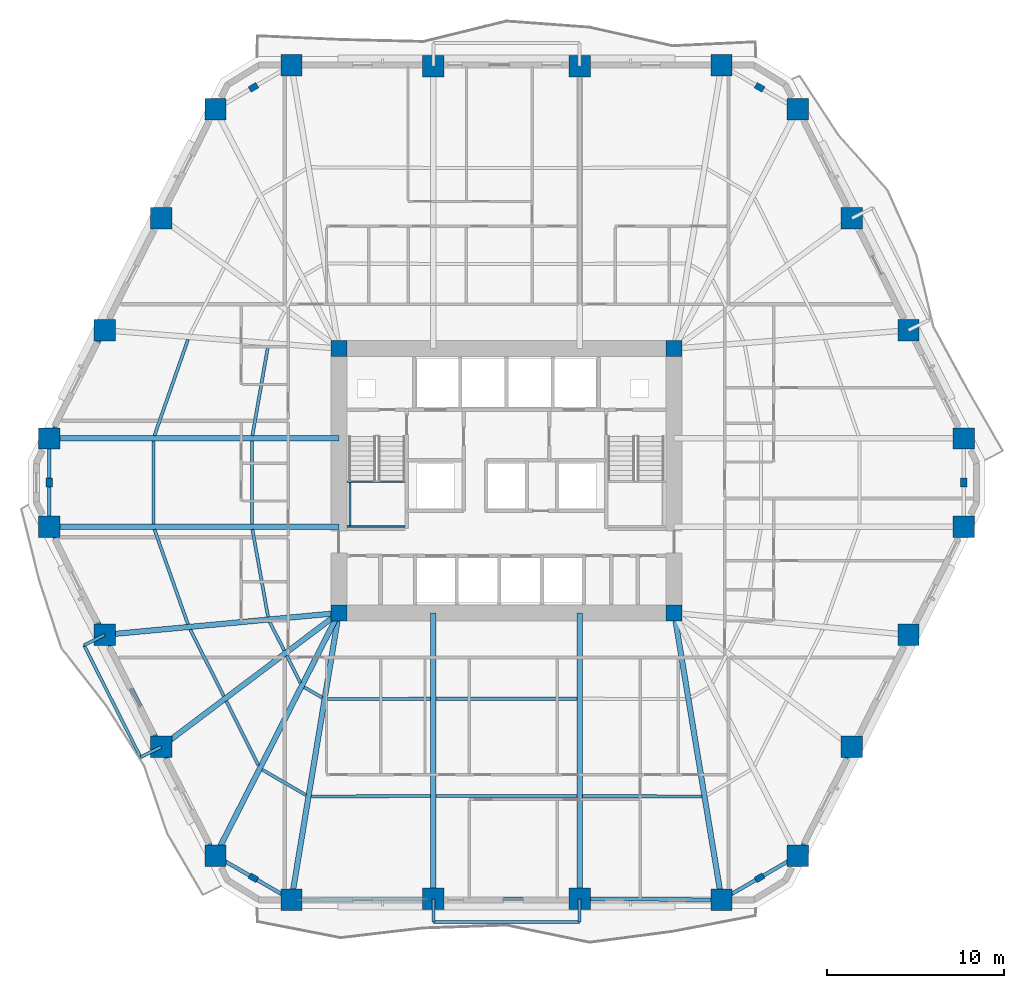
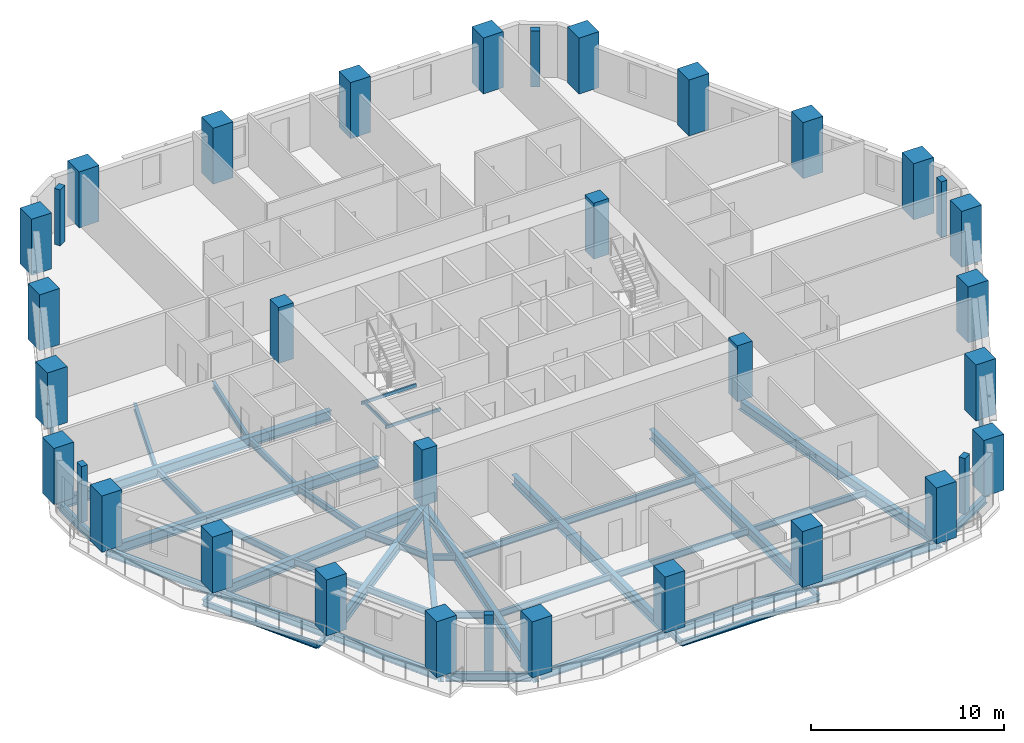
# One storey, part 1 of 14: 46 beams, 34 columns.
"""IFC4 building model written with IfcOpenShell, lengths in metres."""

import ifcopenshell
import ifcopenshell.guid

model = None  # the IFC model being written
_history = None  # IfcOwnerHistory: only IFC2X3 demands one
_inside = {}  # id of a spatial element -> (the spatial element, [elements in it])
_under = {}  # id of a project, library or spatial element -> (it, [spatial elements below it])
_declared = {}  # id of a project -> (the project, [libraries it declares])
_typed = {}  # id of a type object -> (the type object, [elements of that type])
_made_of = {}  # id of a material, layer set ... -> (it, [elements and type objects made of it])


def new_model(schema):
    """Start an empty IFC model of exactly this schema.

    Asked for "IFC4X3", IfcOpenShell would pick the latest addendum, in which some entities
    have other attributes; the version numbers below select the first issue.
    IFC2X3 requires an IfcOwnerHistory on every rooted entity: one is made here for all.
    """
    global model, _history
    if schema == "IFC4X3":
        model = ifcopenshell.file(schema_version=(4, 3, 0, 0))
    else:
        model = ifcopenshell.file(schema=schema)
    _inside.clear()
    _under.clear()
    _declared.clear()
    _typed.clear()
    _made_of.clear()
    _history = None
    if model.schema == "IFC2X3":
        org = make("IfcOrganization", Name="unknown")
        user = make(
            "IfcPersonAndOrganization",
            ThePerson=make("IfcPerson", FamilyName="unknown"),
            TheOrganization=org,
        )
        app = make(
            "IfcApplication",
            ApplicationDeveloper=org,
            Version="unknown",
            ApplicationFullName="unknown",
            ApplicationIdentifier="unknown",
        )
        _history = make(
            "IfcOwnerHistory",
            OwningUser=user,
            OwningApplication=app,
            ChangeAction="ADDED",
            CreationDate=0,
        )
    return model


def make(cls, **values):
    """One entity of the class cls with the attributes given. An attribute that is None is left unset."""
    return model.create_entity(
        cls, **{name: value for name, value in values.items() if value is not None}
    )


def rooted(cls, **values):
    """An entity with a GlobalId (a new one), such as an element, a storey or a relation."""
    return make(cls, GlobalId=ifcopenshell.guid.new(), OwnerHistory=_history, **values)


def si_unit(unit_type, name, prefix=None):
    """IfcSIUnit, for example si_unit("LENGTHUNIT", "METRE", prefix="MILLI")."""
    return make("IfcSIUnit", UnitType=unit_type, Prefix=prefix, Name=name)


def assignment(units):
    """IfcUnitAssignment: the units of a project."""
    return None if units is None else make("IfcUnitAssignment", Units=units)


def point(xyz):
    """IfcCartesianPoint."""
    return None if xyz is None else make("IfcCartesianPoint", Coordinates=xyz)


def direction(xyz):
    """IfcDirection."""
    return None if xyz is None else make("IfcDirection", DirectionRatios=xyz)


def frame(location, z_axis=None, x_axis=None):
    """IfcAxis2Placement3D, a coordinate frame: its origin and axes. An axis left out is left unset."""
    return make(
        "IfcAxis2Placement3D",
        Location=point(location),
        Axis=direction(z_axis),
        RefDirection=direction(x_axis),
    )


def frame_2d(location, x_axis=None):
    """IfcAxis2Placement2D, a coordinate frame in the plane: its origin and x axis."""
    return make(
        "IfcAxis2Placement2D", Location=point(location), RefDirection=direction(x_axis)
    )


def origin():
    """The frame at (0, 0, 0) with its axes left unset."""
    return frame((0.0, 0.0, 0.0))


def origin_2d():
    """The frame at (0, 0) in the plane with its x axis left unset."""
    return frame_2d((0.0, 0.0))


def place(relative_to, where):
    """IfcLocalPlacement: puts the frame where relative to a parent placement (None: the world)."""
    return make(
        "IfcLocalPlacement", PlacementRelTo=relative_to, RelativePlacement=where
    )


def context(
    kind, dimensions, precision=None, world=None, true_north=None, identifier=None
):
    """IfcGeometricRepresentationContext, for example the 3D "Model" context."""
    return make(
        "IfcGeometricRepresentationContext",
        ContextIdentifier=identifier,
        ContextType=kind,
        CoordinateSpaceDimension=dimensions,
        Precision=precision,
        WorldCoordinateSystem=world,
        TrueNorth=true_north,
    )


def subcontext(parent, identifier, kind, view, scale=None):
    """IfcGeometricRepresentationSubContext, for example "Body" below "Model"."""
    return make(
        "IfcGeometricRepresentationSubContext",
        ContextIdentifier=identifier,
        ContextType=kind,
        ParentContext=parent,
        TargetScale=scale,
        TargetView=view,
    )


def project(units=None, contexts=None):
    """IfcProject with its units and contexts."""
    return rooted(
        "IfcProject",
        Name="project",
        RepresentationContexts=contexts,
        UnitsInContext=assignment(units),
    )


def spatial(cls, under=None, at=None, **own):
    """A site, building, storey or space (cls), placed at a placement, below another one or the project."""
    s = rooted(cls, ObjectPlacement=at, **own)
    if under is not None:
        _under.setdefault(under.id(), (under, []))[1].append(s)
    return s


def profile(cls, at=None, kind="AREA", **sizes):
    """A parametric profile (cls). Its sizes go by their IFC names, for example OverallWidth=200.0."""
    return make(cls, ProfileType=kind, Position=at, **sizes)


def rectangle(**sizes):
    """IfcRectangleProfileDef."""
    return profile("IfcRectangleProfileDef", **sizes)


def hollow_rectangle(**sizes):
    """IfcRectangleHollowProfileDef."""
    return profile("IfcRectangleHollowProfileDef", **sizes)


def i_section(**sizes):
    """IfcIShapeProfileDef."""
    return profile("IfcIShapeProfileDef", **sizes)


def extrude(swept, where, along, depth):
    """IfcExtrudedAreaSolid: the profile swept, set in the frame where, extruded along a direction by depth."""
    return make(
        "IfcExtrudedAreaSolid",
        SweptArea=swept,
        Position=where,
        ExtrudedDirection=direction(along),
        Depth=depth,
    )


def shape(context_of_items, identifier, shape_type, items):
    """IfcShapeRepresentation: the items that make up one representation, for example the "Body"."""
    return make(
        "IfcShapeRepresentation",
        ContextOfItems=context_of_items,
        RepresentationIdentifier=identifier,
        RepresentationType=shape_type,
        Items=items,
    )


def material(Name=None, Category=None):
    """IfcMaterial."""
    return make("IfcMaterial", Name=Name, Category=Category)


def material_profile(
    of_material, cross_section, Name=None, Category=None, Priority=None
):
    """IfcMaterialProfile: a cross section and its material."""
    return make(
        "IfcMaterialProfile",
        Name=Name,
        Material=of_material,
        Profile=cross_section,
        Priority=Priority,
        Category=Category,
    )


def profile_set(profiles, Name=None, composite=None):
    """IfcMaterialProfileSet."""
    return make(
        "IfcMaterialProfileSet",
        Name=Name,
        MaterialProfiles=profiles,
        CompositeProfile=composite,
    )


def made_of(thing, what):
    """Note that an element or type object is made of a material, layer set ...; save() writes the relation."""
    if what is not None:
        _made_of.setdefault(what.id(), (what, []))[1].append(thing)
    return thing


def type_object(cls, material=None, **own):
    """A type object (cls), such as IfcWallType, which elements share."""
    return made_of(rooted(cls, **own), material)


def element(
    cls,
    number,
    at=None,
    inside=None,
    cuts=None,
    type_object=None,
    material=None,
    context=None,
    identifier="Body",
    shape_type=None,
    held_by="IfcProductDefinitionShape",
    body=None,
    shapes=None,
    **own,
):
    """One element of the class cls, such as IfcWall. Its Tag is "e" and its number.

    at: its placement. inside: the storey or other place that contains it. cuts: it is an
    opening in that element (IfcRelVoidsElement). A single representation is given by context,
    identifier, shape_type and body (its items); several are given by shapes. held_by: the class
    of the entity that holds the representations. save() writes the other relations.
    """
    e = rooted(cls, Tag="e%d" % number, ObjectPlacement=at, **own)
    if body is not None:
        shapes = [shape(context, identifier, shape_type, body)]
    if shapes is not None:
        e.Representation = make(held_by, Representations=shapes)
    if inside is not None:
        _inside.setdefault(inside.id(), (inside, []))[1].append(e)
    if cuts is not None:
        rooted(
            "IfcRelVoidsElement", RelatingBuildingElement=cuts, RelatedOpeningElement=e
        )
    if type_object is not None:
        _typed.setdefault(type_object.id(), (type_object, []))[1].append(e)
    return made_of(e, material)


def aggregate(whole, parts):
    """IfcRelAggregates: a whole, such as a stair, and the parts it consists of."""
    return rooted("IfcRelAggregates", RelatingObject=whole, RelatedObjects=parts)


def save(model, path):
    """Write the relations noted so far, then the file.

    IfcRelAggregates (storeys below a building ...), IfcRelContainedInSpatialStructure (elements
    in a storey), IfcRelDefinesByType, IfcRelAssociatesMaterial and IfcRelDeclares: one each for
    every whole, place, type object, material and project.
    """
    for whole, parts in _under.values():
        aggregate(whole, parts)
    for where, things in _inside.values():
        rooted(
            "IfcRelContainedInSpatialStructure",
            RelatedElements=things,
            RelatingStructure=where,
        )
    for kind, things in _typed.values():
        rooted("IfcRelDefinesByType", RelatedObjects=things, RelatingType=kind)
    for what, things in _made_of.values():
        rooted("IfcRelAssociatesMaterial", RelatedObjects=things, RelatingMaterial=what)
    for by, libraries in _declared.values():
        rooted("IfcRelDeclares", RelatingContext=by, RelatedDefinitions=libraries)
    model.write(path)


model = new_model("IFC4")

# Units and contexts
model_context = context("Model", 3, precision=1e-05, world=origin(), true_north=direction((0.0, 1.0)))
body_context = subcontext(model_context, "Body", "Model", "MODEL_VIEW")
ifc_project = project(units=[si_unit("LENGTHUNIT", "METRE"), si_unit("AREAUNIT", "SQUARE_METRE"), si_unit("VOLUMEUNIT", "CUBIC_METRE"), si_unit("PLANEANGLEUNIT", "RADIAN"), si_unit("MASSUNIT", "GRAM", prefix="KILO")], contexts=[model_context])

# Site, building, storey
site_placement = place(None, origin())
site = spatial("IfcSite", under=ifc_project, at=site_placement, CompositionType="ELEMENT")
building_placement = place(site_placement, origin())
building = spatial("IfcBuilding", under=site, at=building_placement, Name="Cinnabar Lancet Tower", CompositionType="ELEMENT")
storey_placement = place(building_placement, frame((0.0, 0.0, 67.5)))
storey = spatial("IfcBuildingStorey", under=building, at=storey_placement, Name="L17", CompositionType="ELEMENT", Elevation=67.5)

# Columns
ifc_material_1 = material(Name="Concrete C80/95", Category="concrete")
ifc_material_profile_1 = material_profile(ifc_material_1, rectangle(XDim=0.89990234375, YDim=0.89990234375, at=origin_2d()), Name="RC-COL 900x900")
ifc_profile_set_1 = profile_set([ifc_material_profile_1], Name="Concrete C80/95")
column_type_1 = type_object("IfcColumnType", Name="STR-COL-CORE-900", PredefinedType="COLUMN", material=ifc_profile_set_1)
for number, where, z_axis, x_axis, name in (
    (1, (22.949951171875, 18.449951171875, 0.0), (0.0, 0.0, 1.0), (1.0, 0.0, 0.0), "L17 Core Corner Column SW"),
    (2, (41.85009765625, 18.449951171875, 0.0), (0.0, 0.0, 1.0), (1.0, 0.0, 0.0), "L17 Core Corner Column SE"),
    (3, (41.85009765625, 33.35009765625, 0.0), (0.0, 0.0, 1.0), (1.0, 0.0, 0.0), "L17 Core Corner Column NE"),
    (4, (22.949951171875, 33.35009765625, 0.0), (0.0, 0.0, 1.0), (1.0, 0.0, 0.0), "L17 Core Corner Column NW"),
):
    element("IfcColumn", number, at=place(storey_placement, frame(where, z_axis=z_axis, x_axis=x_axis)), inside=storey, type_object=column_type_1, Name=name, PredefinedType="COLUMN", context=body_context, shape_type="SweptSolid", body=[
        extrude(rectangle(XDim=0.89990234375, YDim=0.89990234375, at=origin_2d()), origin(), (0.0, 0.0, 1.0), 3.550048828125),
    ])
ifc_material_2 = material(Name="Concrete C60/75", Category="concrete")
ifc_material_profile_2 = material_profile(ifc_material_2, rectangle(XDim=0.5, YDim=0.35009765625, at=origin_2d()), Name="RC-PIL 500x350")
ifc_profile_set_2 = profile_set([ifc_material_profile_2], Name="Concrete C60/75")
column_type_2 = type_object("IfcColumnType", Name="STR-COL-PIL-500", PredefinedType="PILASTER", material=ifc_profile_set_2)
for number, where, z_axis, x_axis, name in (
    (5, (18.139892578125, 3.531005859375, 0.0), (0.0, 0.0, 1.0), (0.865195182343, -0.501435236546, 0.0), "L17 Chamfered Corner Pilaster 1"),
    (6, (46.659912109375, 3.531005859375, 0.0), (0.0, 0.0, 1.0), (0.865195182343, 0.501435236546, 0.0), "L17 Chamfered Corner Pilaster 2"),
    (7, (58.16796875, 25.800048828125, 0.0), (0.0, 0.0, 1.0), (0.0, 1.0, 0.0), "L17 Chamfered Corner Pilaster 3"),
    (8, (46.659912109375, 48.069091796875, 0.0), (0.0, 0.0, 1.0), (-0.865195182343, 0.501435236546, 0.0), "L17 Chamfered Corner Pilaster 4"),
    (9, (18.139892578125, 48.069091796875, 0.0), (0.0, 0.0, 1.0), (-0.865195182343, -0.501435236546, 0.0), "L17 Chamfered Corner Pilaster 5"),
    (10, (6.632080078125, 25.800048828125, 0.0), (0.0, 0.0, 1.0), (0.0, -1.0, 0.0), "L17 Chamfered Corner Pilaster 6"),
):
    element("IfcColumn", number, at=place(storey_placement, frame(where, z_axis=z_axis, x_axis=x_axis)), inside=storey, type_object=column_type_2, Name=name, PredefinedType="PILASTER", context=body_context, shape_type="SweptSolid", body=[
        extrude(rectangle(XDim=0.5, YDim=0.35009765625, at=origin_2d()), origin(), (0.0, 0.0, 1.0), 3.550048828125),
    ])
ifc_material_3 = material(Name="Concrete C80/95", Category="concrete")
ifc_material_profile_3 = material_profile(ifc_material_3, rectangle(XDim=1.199951171875, YDim=1.199951171875, at=origin_2d()), Name="RC-COL 1200x1200")
ifc_profile_set_3 = profile_set([ifc_material_profile_3], Name="Concrete C80/95")
column_type_3 = type_object("IfcColumnType", Name="STR-COL-TUBE-1200", PredefinedType="COLUMN", material=ifc_profile_set_3)
for number, where, z_axis, x_axis, name in (
    (11, (20.282958984375, 2.2890625, 0.0), (0.0, 0.0, 1.0), (1.0, 0.0, 0.0), "L17 Perimeter Tube Column 1"),
    (12, (28.278076171875, 2.342041015625, 0.0), (0.0, 0.0, 1.0), (1.0, 0.0, 0.0), "L17 Perimeter Tube Column 2"),
    (13, (36.52197265625, 2.342041015625, 0.0), (0.0, 0.0, 1.0), (1.0, 0.0, 0.0), "L17 Perimeter Tube Column 3"),
    (14, (44.51708984375, 2.2890625, 0.0), (0.0, 0.0, 1.0), (1.0, 0.0, 0.0), "L17 Perimeter Tube Column 4"),
    (15, (48.802978515625, 4.77294921875, 0.0), (0.0, 0.0, 1.0), (1.0, 0.0, 0.0), "L17 Perimeter Tube Column 5"),
    (16, (51.85888671875, 10.908935546875, 0.0), (0.0, 0.0, 1.0), (1.0, 0.0, 0.0), "L17 Perimeter Tube Column 6"),
    (17, (55.0458984375, 17.219970703125, 0.0), (0.0, 0.0, 1.0), (1.0, 0.0, 0.0), "L17 Perimeter Tube Column 7"),
    (18, (58.16796875, 23.31396484375, 0.0), (0.0, 0.0, 1.0), (1.0, 0.0, 0.0), "L17 Perimeter Tube Column 8"),
    (19, (58.16796875, 28.285888671875, 0.0), (0.0, 0.0, 1.0), (1.0, 0.0, 0.0), "L17 Perimeter Tube Column 9"),
    (20, (55.0458984375, 34.3798828125, 0.0), (0.0, 0.0, 1.0), (1.0, 0.0, 0.0), "L17 Perimeter Tube Column 10"),
    (21, (51.85888671875, 40.69091796875, 0.0), (0.0, 0.0, 1.0), (1.0, 0.0, 0.0), "L17 Perimeter Tube Column 11"),
    (22, (48.802978515625, 46.826904296875, 0.0), (0.0, 0.0, 1.0), (1.0, 0.0, 0.0), "L17 Perimeter Tube Column 12"),
    (23, (44.51708984375, 49.31103515625, 0.0), (0.0, 0.0, 1.0), (1.0, 0.0, 0.0), "L17 Perimeter Tube Column 13"),
    (24, (36.52197265625, 49.258056640625, 0.0), (0.0, 0.0, 1.0), (1.0, 0.0, 0.0), "L17 Perimeter Tube Column 14"),
    (25, (28.278076171875, 49.258056640625, 0.0), (0.0, 0.0, 1.0), (1.0, 0.0, 0.0), "L17 Perimeter Tube Column 15"),
    (26, (20.282958984375, 49.31103515625, 0.0), (0.0, 0.0, 1.0), (1.0, 0.0, 0.0), "L17 Perimeter Tube Column 16"),
    (27, (15.9970703125, 46.826904296875, 0.0), (0.0, 0.0, 1.0), (1.0, 0.0, 0.0), "L17 Perimeter Tube Column 17"),
    (28, (12.94091796875, 40.69091796875, 0.0), (0.0, 0.0, 1.0), (1.0, 0.0, 0.0), "L17 Perimeter Tube Column 18"),
    (29, (9.75390625, 34.3798828125, 0.0), (0.0, 0.0, 1.0), (1.0, 0.0, 0.0), "L17 Perimeter Tube Column 19"),
    (30, (6.632080078125, 28.285888671875, 0.0), (0.0, 0.0, 1.0), (1.0, 0.0, 0.0), "L17 Perimeter Tube Column 20"),
    (31, (6.632080078125, 23.31396484375, 0.0), (0.0, 0.0, 1.0), (1.0, 0.0, 0.0), "L17 Perimeter Tube Column 21"),
    (32, (9.75390625, 17.219970703125, 0.0), (0.0, 0.0, 1.0), (1.0, 0.0, 0.0), "L17 Perimeter Tube Column 22"),
    (33, (12.94091796875, 10.908935546875, 0.0), (0.0, 0.0, 1.0), (1.0, 0.0, 0.0), "L17 Perimeter Tube Column 23"),
    (34, (15.9970703125, 4.77294921875, 0.0), (0.0, 0.0, 1.0), (1.0, 0.0, 0.0), "L17 Perimeter Tube Column 24"),
):
    element("IfcColumn", number, at=place(storey_placement, frame(where, z_axis=z_axis, x_axis=x_axis)), inside=storey, type_object=column_type_3, Name=name, PredefinedType="COLUMN", context=body_context, shape_type="SweptSolid", body=[
        extrude(rectangle(XDim=1.199951171875, YDim=1.199951171875, at=origin_2d()), origin(), (0.0, 0.0, 1.0), 3.550048828125),
    ])

# Beams
ifc_material_4 = material(Name="Structural steel S355", Category="steel")
ifc_material_profile_4 = material_profile(ifc_material_4, i_section(OverallWidth=0.177978515625, OverallDepth=0.406494140625, WebThickness=0.0078125, FlangeThickness=0.0126953125, FilletRadius=0.01025390625, at=origin_2d()), Name="UKB 406x178x60")
ifc_profile_set_4 = profile_set([ifc_material_profile_4], Name="Structural steel S355")
beam_type_1 = type_object("IfcBeamType", Name="STR-BM-JST-406", PredefinedType="JOIST", material=ifc_profile_set_4)
beam_1_placement = place(storey_placement, frame((12.56103515625, 23.159912109375, -0.423095703125), z_axis=(0.333349133153, -0.942803455353, 0.0), x_axis=(0.942803455353, 0.333349133153, 0.0)))
element("IfcBeam", 35, at=beam_1_placement, inside=storey, type_object=beam_type_1, Name="L17 Secondary Floor Joist 1", PredefinedType="JOIST", context=body_context, shape_type="SweptSolid", body=[
    extrude(i_section(OverallWidth=0.177978515625, OverallDepth=0.406494140625, WebThickness=0.0078125, FlangeThickness=0.0126953125, FilletRadius=0.01025390625, at=origin_2d()), origin(), (0.0, 0.0, 1.0), 5.67236328125),
])
beam_2_placement = place(storey_placement, frame((18.08203125, 23.159912109375, -0.423095703125), z_axis=(0.176227857104, -0.984349400559, 0.0), x_axis=(0.984349400559, 0.176227857104, 0.0)))
element("IfcBeam", 36, at=beam_2_placement, inside=storey, type_object=beam_type_1, Name="L17 Secondary Floor Joist 2", PredefinedType="JOIST", context=body_context, shape_type="SweptSolid", body=[
    extrude(i_section(OverallWidth=0.177978515625, OverallDepth=0.406494140625, WebThickness=0.0078125, FlangeThickness=0.0126953125, FilletRadius=0.01025390625, at=origin_2d()), origin(), (0.0, 0.0, 1.0), 5.00537109375),
])
beam_3_placement = place(storey_placement, frame((14.5791015625, 17.51611328125, -0.423095703125), z_axis=(0.450717414682, -0.892666685893, 0.0), x_axis=(0.892666685893, 0.450717414682, 0.0)))
element("IfcBeam", 37, at=beam_3_placement, inside=storey, type_object=beam_type_1, Name="L17 Secondary Floor Joist 3", PredefinedType="JOIST", context=body_context, shape_type="SweptSolid", body=[
    extrude(i_section(OverallWidth=0.177978515625, OverallDepth=0.406494140625, WebThickness=0.0078125, FlangeThickness=0.0126953125, FilletRadius=0.01025390625, at=origin_2d()), origin(), (0.0, 0.0, 1.0), 4.204345703125),
])
beam_4_placement = place(storey_placement, frame((19.06591796875, 17.93408203125, -0.423095703125), z_axis=(0.450519589093, -0.892766542744, 0.0), x_axis=(0.892766542744, 0.450519589093, 0.0)))
element("IfcBeam", 38, at=beam_4_placement, inside=storey, type_object=beam_type_1, Name="L17 Secondary Floor Joist 4", PredefinedType="JOIST", context=body_context, shape_type="SweptSolid", body=[
    extrude(i_section(OverallWidth=0.177978515625, OverallDepth=0.406494140625, WebThickness=0.0078125, FlangeThickness=0.0126953125, FilletRadius=0.01025390625, at=origin_2d()), origin(), (0.0, 0.0, 1.0), 1.80029296875),
])
beam_5_placement = place(storey_placement, frame((16.614013671875, 13.48388671875, -0.423095703125), z_axis=(0.445835127839, -0.895115098065, 0.0), x_axis=(0.895115098065, 0.445835127839, 0.0)))
element("IfcBeam", 39, at=beam_5_placement, inside=storey, type_object=beam_type_1, Name="L17 Secondary Floor Joist 5", PredefinedType="JOIST", context=body_context, shape_type="SweptSolid", body=[
    extrude(i_section(OverallWidth=0.177978515625, OverallDepth=0.406494140625, WebThickness=0.0078125, FlangeThickness=0.0126953125, FilletRadius=0.01025390625, at=origin_2d()), origin(), (0.0, 0.0, 1.0), 4.03955078125),
])
beam_6_placement = place(storey_placement, frame((20.01708984375, 16.048095703125, -0.423095703125), z_axis=(0.44578468599, -0.895140220154, 0.0), x_axis=(0.895140220154, 0.44578468599, 0.0)))
element("IfcBeam", 40, at=beam_6_placement, inside=storey, type_object=beam_type_1, Name="L17 Secondary Floor Joist 6", PredefinedType="JOIST", context=body_context, shape_type="SweptSolid", body=[
    extrude(i_section(OverallWidth=0.177978515625, OverallDepth=0.406494140625, WebThickness=0.0078125, FlangeThickness=0.0126953125, FilletRadius=0.01025390625, at=origin_2d()), origin(), (0.0, 0.0, 1.0), 1.709228515625),
])
beam_7_placement = place(storey_placement, frame((18.633056640625, 9.6201171875, -0.423095703125), z_axis=(0.865076496111, -0.501639966387, 0.0), x_axis=(0.501639966387, 0.865076496111, 0.0)))
element("IfcBeam", 41, at=beam_7_placement, inside=storey, type_object=beam_type_1, Name="L17 Secondary Floor Joist 7", PredefinedType="JOIST", context=body_context, shape_type="SweptSolid", body=[
    extrude(i_section(OverallWidth=0.177978515625, OverallDepth=0.406494140625, WebThickness=0.0078125, FlangeThickness=0.0126953125, FilletRadius=0.01025390625, at=origin_2d()), origin(), (0.0, 0.0, 1.0), 2.85302734375),
])
beam_8_placement = place(storey_placement, frame((20.9970703125, 14.27001953125, -0.423095703125), z_axis=(0.865192550274, -0.50143977799, 0.0), x_axis=(0.50143977799, 0.865192550274, 0.0)))
element("IfcBeam", 42, at=beam_8_placement, inside=storey, type_object=beam_type_1, Name="L17 Secondary Floor Joist 8", PredefinedType="JOIST", context=body_context, shape_type="SweptSolid", body=[
    extrude(i_section(OverallWidth=0.177978515625, OverallDepth=0.406494140625, WebThickness=0.0078125, FlangeThickness=0.0126953125, FilletRadius=0.01025390625, at=origin_2d()), origin(), (0.0, 0.0, 1.0), 1.16845703125),
])
beam_9_placement = place(storey_placement, frame((21.39892578125, 8.10791015625, -0.423095703125), z_axis=(0.999988691939, 0.004755627628, 0.0), x_axis=(-0.004755627628, 0.999988691939, 0.0)))
element("IfcBeam", 43, at=beam_9_placement, inside=storey, type_object=beam_type_1, Name="L17 Secondary Floor Joist 9", PredefinedType="JOIST", context=body_context, shape_type="SweptSolid", body=[
    extrude(i_section(OverallWidth=0.177978515625, OverallDepth=0.406494140625, WebThickness=0.0078125, FlangeThickness=0.0126953125, FilletRadius=0.01025390625, at=origin_2d()), origin(), (0.0, 0.0, 1.0), 6.72509765625),
])
beam_10_placement = place(storey_placement, frame((22.305908203125, 13.60205078125, -0.423095703125), z_axis=(0.999996724007, 0.002559682773, 0.0), x_axis=(-0.002559682773, 0.999996724007, 0.0)))
element("IfcBeam", 44, at=beam_10_placement, inside=storey, type_object=beam_type_1, Name="L17 Secondary Floor Joist 10", PredefinedType="JOIST", context=body_context, shape_type="SweptSolid", body=[
    extrude(i_section(OverallWidth=0.177978515625, OverallDepth=0.406494140625, WebThickness=0.0078125, FlangeThickness=0.0126953125, FilletRadius=0.01025390625, at=origin_2d()), origin(), (0.0, 0.0, 1.0), 5.818115234375),
])
for number, where, z_axis, x_axis, name in (
    (45, (28.431884765625, 8.14111328125, -0.423095703125), (1.0, 0.0, 0.0), (0.0, 1.0, 0.0), "L17 Secondary Floor Joist 11"),
    (46, (28.431884765625, 13.617919921875, -0.423095703125), (1.0, 0.0, 0.0), (0.0, 1.0, 0.0), "L17 Secondary Floor Joist 12"),
):
    element("IfcBeam", number, at=place(storey_placement, frame(where, z_axis=z_axis, x_axis=x_axis)), inside=storey, type_object=beam_type_1, Name=name, PredefinedType="JOIST", context=body_context, shape_type="SweptSolid", body=[
        extrude(i_section(OverallWidth=0.177978515625, OverallDepth=0.406494140625, WebThickness=0.0078125, FlangeThickness=0.0126953125, FilletRadius=0.01025390625, at=origin_2d()), origin(), (0.0, 0.0, 1.0), 7.93603515625),
    ])
beam_11_placement = place(storey_placement, frame((36.676025390625, 8.139892578125, -0.423095703125), z_axis=(0.999988691118, -0.004755800274, 0.0), x_axis=(0.004755800274, 0.999988691118, 0.0)))
element("IfcBeam", 47, at=beam_11_placement, inside=storey, type_object=beam_type_1, Name="L17 Secondary Floor Joist 13", PredefinedType="JOIST", context=body_context, shape_type="SweptSolid", body=[
    extrude(i_section(OverallWidth=0.177978515625, OverallDepth=0.406494140625, WebThickness=0.0078125, FlangeThickness=0.0126953125, FilletRadius=0.01025390625, at=origin_2d()), origin(), (0.0, 0.0, 1.0), 6.724853515625),
])
beam_12_placement = place(storey_placement, frame((14.451904296875, 33.85888671875, -0.423095703125), z_axis=(-0.329607609001, -0.944118013857, 0.0), x_axis=(0.944118013857, -0.329607609001, 0.0)))
element("IfcBeam", 48, at=beam_12_placement, inside=storey, type_object=beam_type_1, Name="L17 Secondary Floor Joist 45", PredefinedType="JOIST", context=body_context, shape_type="SweptSolid", body=[
    extrude(i_section(OverallWidth=0.177978515625, OverallDepth=0.406494140625, WebThickness=0.0078125, FlangeThickness=0.0126953125, FilletRadius=0.01025390625, at=origin_2d()), origin(), (0.0, 0.0, 1.0), 5.73974609375),
])
beam_13_placement = place(storey_placement, frame((18.965087890625, 33.507080078125, -0.423095703125), z_axis=(-0.171867959611, -0.985119994954, 0.0), x_axis=(0.985119994954, -0.171867959611, 0.0)))
element("IfcBeam", 49, at=beam_13_placement, inside=storey, type_object=beam_type_1, Name="L17 Secondary Floor Joist 46", PredefinedType="JOIST", context=body_context, shape_type="SweptSolid", body=[
    extrude(i_section(OverallWidth=0.177978515625, OverallDepth=0.406494140625, WebThickness=0.0078125, FlangeThickness=0.0126953125, FilletRadius=0.01025390625, at=origin_2d()), origin(), (0.0, 0.0, 1.0), 5.1435546875),
])
for number, where, z_axis, x_axis, name in (
    (50, (12.506103515625, 28.132080078125, -0.423095703125), (0.0, -1.0, 0.0), (1.0, 0.0, 0.0), "L17 Secondary Floor Joist 47"),
    (51, (18.054931640625, 28.132080078125, -0.423095703125), (0.0, -1.0, 0.0), (1.0, 0.0, 0.0), "L17 Secondary Floor Joist 48"),
):
    element("IfcBeam", number, at=place(storey_placement, frame(where, z_axis=z_axis, x_axis=x_axis)), inside=storey, type_object=beam_type_1, Name=name, PredefinedType="JOIST", context=body_context, shape_type="SweptSolid", body=[
        extrude(i_section(OverallWidth=0.177978515625, OverallDepth=0.406494140625, WebThickness=0.0078125, FlangeThickness=0.0126953125, FilletRadius=0.01025390625, at=origin_2d()), origin(), (0.0, 0.0, 1.0), 4.6640625),
    ])
ifc_material_5 = material(Name="Structural steel S355", Category="steel")
ifc_material_profile_5 = material_profile(ifc_material_5, hollow_rectangle(XDim=0.10009765625, YDim=0.199951171875, WallThickness=0.008056640625, InnerFilletRadius=0.00390625, OuterFilletRadius=0.011962890625, at=origin_2d()), Name="RHS 200x100x8")
ifc_profile_set_5 = profile_set([ifc_material_profile_5], Name="Structural steel S355")
beam_type_2 = type_object("IfcBeamType", Name="STR-BM-LND-203", PredefinedType="BEAM", material=ifc_profile_set_5)
for number, where, z_axis, x_axis, name in (
    (52, (23.39990234375, 23.330078125, 1.47509765625), (1.0, 0.0, 0.0), (0.0, 1.0, 0.0), "L17 ST-1-L17 Landing Support Beam S"),
    (53, (23.39990234375, 25.844970703125, 1.47509765625), (1.0, 0.0, 0.0), (0.0, 1.0, 0.0), "L17 ST-1-L17 Landing Support Beam N"),
):
    element("IfcBeam", number, at=place(storey_placement, frame(where, z_axis=z_axis, x_axis=x_axis)), inside=storey, type_object=beam_type_2, Name=name, PredefinedType="BEAM", context=body_context, shape_type="SweptSolid", body=[
        extrude(hollow_rectangle(XDim=0.10009765625, YDim=0.199951171875, WallThickness=0.008056640625, InnerFilletRadius=0.00390625, OuterFilletRadius=0.011962890625, at=origin_2d()), origin(), (0.0, 0.0, 1.0), 3.280029296875),
    ])
beam_14_placement = place(storey_placement, frame((23.580078125, 23.3798828125, 1.47509765625), z_axis=(0.0, 1.0, 0.0), x_axis=(-1.0, 0.0, 0.0)))
element("IfcBeam", 54, at=beam_14_placement, inside=storey, type_object=beam_type_2, Name="L17 ST-1-L17 Landing Side Trimmer Beam", PredefinedType="BEAM", context=body_context, shape_type="SweptSolid", body=[
    extrude(hollow_rectangle(XDim=0.10009765625, YDim=0.199951171875, WallThickness=0.008056640625, InnerFilletRadius=0.00390625, OuterFilletRadius=0.011962890625, at=origin_2d()), origin(), (0.0, 0.0, 1.0), 2.4150390625),
])
ifc_material_6 = material(Name="Structural steel S355", Category="steel")
ifc_material_profile_6 = material_profile(ifc_material_6, i_section(OverallWidth=0.209228515625, OverallDepth=0.533203125, WebThickness=0.010009765625, FlangeThickness=0.015625, FilletRadius=0.0126953125, at=origin_2d()), Name="UKB 533x210x92")
ifc_profile_set_6 = profile_set([ifc_material_profile_6], Name="Structural steel S355")
beam_type_3 = type_object("IfcBeamType", Name="STR-BM-SPN-533", PredefinedType="SPANDREL", material=ifc_profile_set_6)
beam_15_placement = place(storey_placement, frame((20.532958984375, 2.291015625, -0.487060546875), z_axis=(0.99997856757, 0.006547090947, 0.0), x_axis=(-0.006547090947, 0.99997856757, 0.0)))
element("IfcBeam", 55, at=beam_15_placement, inside=storey, type_object=beam_type_3, Name="L17 Perimeter Spandrel 1", PredefinedType="SPANDREL", context=body_context, shape_type="SweptSolid", body=[
    extrude(i_section(OverallWidth=0.209228515625, OverallDepth=0.533203125, WebThickness=0.010009765625, FlangeThickness=0.015625, FilletRadius=0.0126953125, at=origin_2d()), origin(), (0.0, 0.0, 1.0), 7.495361328125),
])
beam_16_placement = place(storey_placement, frame((28.528076171875, 2.342041015625, -0.487060546875), z_axis=(1.0, 0.0, 0.0), x_axis=(0.0, 1.0, 0.0)))
element("IfcBeam", 56, at=beam_16_placement, inside=storey, type_object=beam_type_3, Name="L17 Perimeter Spandrel 2", PredefinedType="SPANDREL", context=body_context, shape_type="SweptSolid", body=[
    extrude(i_section(OverallWidth=0.209228515625, OverallDepth=0.533203125, WebThickness=0.010009765625, FlangeThickness=0.015625, FilletRadius=0.0126953125, at=origin_2d()), origin(), (0.0, 0.0, 1.0), 7.743896484375),
])
beam_17_placement = place(storey_placement, frame((36.77197265625, 2.340087890625, -0.487060546875), z_axis=(0.99997856757, -0.006547090947, 0.0), x_axis=(0.006547090947, 0.99997856757, 0.0)))
element("IfcBeam", 57, at=beam_17_placement, inside=storey, type_object=beam_type_3, Name="L17 Perimeter Spandrel 3", PredefinedType="SPANDREL", context=body_context, shape_type="SweptSolid", body=[
    extrude(i_section(OverallWidth=0.209228515625, OverallDepth=0.533203125, WebThickness=0.010009765625, FlangeThickness=0.015625, FilletRadius=0.0126953125, at=origin_2d()), origin(), (0.0, 0.0, 1.0), 7.495361328125),
])
beam_18_placement = place(storey_placement, frame((44.73291015625, 2.4140625, -0.487060546875), z_axis=(0.865171017323, 0.501476929463, 0.0), x_axis=(-0.501476929463, 0.865171017323, 0.0)))
element("IfcBeam", 58, at=beam_18_placement, inside=storey, type_object=beam_type_3, Name="L17 Perimeter Spandrel 4", PredefinedType="SPANDREL", context=body_context, shape_type="SweptSolid", body=[
    extrude(i_section(OverallWidth=0.209228515625, OverallDepth=0.533203125, WebThickness=0.010009765625, FlangeThickness=0.015625, FilletRadius=0.0126953125, at=origin_2d()), origin(), (0.0, 0.0, 1.0), 4.45458984375),
])
beam_19_placement = place(storey_placement, frame((48.9140625, 4.9970703125, -0.487060546875), z_axis=(0.445953050023, 0.89505635419, 0.0), x_axis=(-0.89505635419, 0.445953050023, 0.0)))
element("IfcBeam", 59, at=beam_19_placement, inside=storey, type_object=beam_type_3, Name="L17 Perimeter Spandrel 5", PredefinedType="SPANDREL", context=body_context, shape_type="SweptSolid", body=[
    extrude(i_section(OverallWidth=0.209228515625, OverallDepth=0.533203125, WebThickness=0.010009765625, FlangeThickness=0.015625, FilletRadius=0.0126953125, at=origin_2d()), origin(), (0.0, 0.0, 1.0), 6.35498046875),
])
beam_20_placement = place(storey_placement, frame((9.639892578125, 34.156982421875, -0.487060546875), z_axis=(-0.455994051912, -0.889982822655, 0.0), x_axis=(0.889982822655, -0.455994051912, 0.0)))
element("IfcBeam", 60, at=beam_20_placement, inside=storey, type_object=beam_type_3, Name="L17 Perimeter Spandrel 19", PredefinedType="SPANDREL", context=body_context, shape_type="SweptSolid", body=[
    extrude(i_section(OverallWidth=0.209228515625, OverallDepth=0.533203125, WebThickness=0.010009765625, FlangeThickness=0.015625, FilletRadius=0.0126953125, at=origin_2d()), origin(), (0.0, 0.0, 1.0), 6.34619140625),
])
beam_21_placement = place(storey_placement, frame((6.632080078125, 28.035888671875, -0.487060546875), z_axis=(0.0, -1.0, 0.0), x_axis=(1.0, 0.0, 0.0)))
element("IfcBeam", 61, at=beam_21_placement, inside=storey, type_object=beam_type_3, Name="L17 Perimeter Spandrel 20", PredefinedType="SPANDREL", context=body_context, shape_type="SweptSolid", body=[
    extrude(i_section(OverallWidth=0.209228515625, OverallDepth=0.533203125, WebThickness=0.010009765625, FlangeThickness=0.015625, FilletRadius=0.0126953125, at=origin_2d()), origin(), (0.0, 0.0, 1.0), 4.471923828125),
])
beam_22_placement = place(storey_placement, frame((6.74609375, 23.091064453125, -0.487060546875), z_axis=(0.455994051912, -0.889982822655, 0.0), x_axis=(0.889982822655, 0.455994051912, 0.0)))
element("IfcBeam", 62, at=beam_22_placement, inside=storey, type_object=beam_type_3, Name="L17 Perimeter Spandrel 21", PredefinedType="SPANDREL", context=body_context, shape_type="SweptSolid", body=[
    extrude(i_section(OverallWidth=0.209228515625, OverallDepth=0.533203125, WebThickness=0.010009765625, FlangeThickness=0.015625, FilletRadius=0.0126953125, at=origin_2d()), origin(), (0.0, 0.0, 1.0), 6.34619140625),
])
beam_23_placement = place(storey_placement, frame((9.866943359375, 16.9970703125, -0.487060546875), z_axis=(0.450673532306, -0.892688841242, 0.0), x_axis=(0.892688841242, 0.450673532306, 0.0)))
element("IfcBeam", 63, at=beam_23_placement, inside=storey, type_object=beam_type_3, Name="L17 Perimeter Spandrel 22", PredefinedType="SPANDREL", context=body_context, shape_type="SweptSolid", body=[
    extrude(i_section(OverallWidth=0.209228515625, OverallDepth=0.533203125, WebThickness=0.010009765625, FlangeThickness=0.015625, FilletRadius=0.0126953125, at=origin_2d()), origin(), (0.0, 0.0, 1.0), 6.570068359375),
])
beam_24_placement = place(storey_placement, frame((13.052001953125, 10.68505859375, -0.487060546875), z_axis=(0.445953050023, -0.89505635419, 0.0), x_axis=(0.89505635419, 0.445953050023, 0.0)))
element("IfcBeam", 64, at=beam_24_placement, inside=storey, type_object=beam_type_3, Name="L17 Perimeter Spandrel 23", PredefinedType="SPANDREL", context=body_context, shape_type="SweptSolid", body=[
    extrude(i_section(OverallWidth=0.209228515625, OverallDepth=0.533203125, WebThickness=0.010009765625, FlangeThickness=0.015625, FilletRadius=0.0126953125, at=origin_2d()), origin(), (0.0, 0.0, 1.0), 6.35498046875),
])
beam_25_placement = place(storey_placement, frame((16.212890625, 4.64794921875, -0.487060546875), z_axis=(0.865171017323, -0.501476929463, 0.0), x_axis=(0.501476929463, 0.865171017323, 0.0)))
element("IfcBeam", 65, at=beam_25_placement, inside=storey, type_object=beam_type_3, Name="L17 Perimeter Spandrel 24", PredefinedType="SPANDREL", context=body_context, shape_type="SweptSolid", body=[
    extrude(i_section(OverallWidth=0.209228515625, OverallDepth=0.533203125, WebThickness=0.010009765625, FlangeThickness=0.015625, FilletRadius=0.0126953125, at=origin_2d()), origin(), (0.0, 0.0, 1.0), 4.45458984375),
])
ifc_material_7 = material(Name="Structural steel S355", Category="steel")
ifc_material_profile_7 = material_profile(ifc_material_7, i_section(OverallWidth=0.30712890625, OverallDepth=0.6201171875, WebThickness=0.01416015625, FlangeThickness=0.023681640625, FilletRadius=0.0166015625, at=origin_2d()), Name="UKB 610x305x179")
ifc_profile_set_7 = profile_set([ifc_material_profile_7], Name="Structural steel S355")
beam_type_4 = type_object("IfcBeamType", Name="STR-BM-UKB610-179", PredefinedType="BEAM", material=ifc_profile_set_7)
beam_26_placement = place(storey_placement, frame((12.94091796875, 10.908935546875, -0.530029296875), z_axis=(0.798686588468, 0.601747233812, 0.0), x_axis=(-0.601747233812, 0.798686588468, 0.0)))
element("IfcBeam", 66, at=beam_26_placement, inside=storey, type_object=beam_type_4, Name="L17 Corner Collector Girder 1", PredefinedType="BEAM", context=body_context, shape_type="SweptSolid", body=[
    extrude(i_section(OverallWidth=0.30712890625, OverallDepth=0.6201171875, WebThickness=0.01416015625, FlangeThickness=0.023681640625, FilletRadius=0.0166015625, at=origin_2d()), origin(), (0.0, 0.0, 1.0), 12.531982421875),
])
beam_27_placement = place(storey_placement, frame((20.282958984375, 2.2890625, -0.530029296875), z_axis=(0.162825264118, 0.986654921117, 0.0), x_axis=(-0.986654921117, 0.162825264118, 0.0)))
element("IfcBeam", 67, at=beam_27_placement, inside=storey, type_object=beam_type_4, Name="L17 Primary Floor Girder 1", PredefinedType="BEAM", context=body_context, shape_type="SweptSolid", body=[
    extrude(i_section(OverallWidth=0.30712890625, OverallDepth=0.6201171875, WebThickness=0.01416015625, FlangeThickness=0.023681640625, FilletRadius=0.0166015625, at=origin_2d()), origin(), (0.0, 0.0, 1.0), 16.37939453125),
])
for number, where, z_axis, x_axis, name in (
    (68, (28.278076171875, 2.342041015625, -0.530029296875), (0.0, 1.0, 0.0), (-1.0, 0.0, 0.0), "L17 Primary Floor Girder 2"),
    (69, (36.52197265625, 2.342041015625, -0.530029296875), (0.0, 1.0, 0.0), (-1.0, 0.0, 0.0), "L17 Primary Floor Girder 3"),
):
    element("IfcBeam", number, at=place(storey_placement, frame(where, z_axis=z_axis, x_axis=x_axis)), inside=storey, type_object=beam_type_4, Name=name, PredefinedType="BEAM", context=body_context, shape_type="SweptSolid", body=[
        extrude(i_section(OverallWidth=0.30712890625, OverallDepth=0.6201171875, WebThickness=0.01416015625, FlangeThickness=0.023681640625, FilletRadius=0.0166015625, at=origin_2d()), origin(), (0.0, 0.0, 1.0), 16.10791015625),
    ])
beam_28_placement = place(storey_placement, frame((44.51708984375, 2.2890625, -0.530029296875), z_axis=(-0.162825264118, 0.986654921117, 0.0), x_axis=(-0.986654921117, -0.162825264118, 0.0)))
element("IfcBeam", 70, at=beam_28_placement, inside=storey, type_object=beam_type_4, Name="L17 Primary Floor Girder 4", PredefinedType="BEAM", context=body_context, shape_type="SweptSolid", body=[
    extrude(i_section(OverallWidth=0.30712890625, OverallDepth=0.6201171875, WebThickness=0.01416015625, FlangeThickness=0.023681640625, FilletRadius=0.0166015625, at=origin_2d()), origin(), (0.0, 0.0, 1.0), 16.37939453125),
])
for number, where, z_axis, x_axis, name in (
    (71, (6.632080078125, 28.285888671875, -0.530029296875), (1.0, 0.0, 0.0), (0.0, 1.0, 0.0), "L17 Primary Floor Girder 20"),
    (72, (6.632080078125, 23.31396484375, -0.530029296875), (1.0, 0.0, 0.0), (0.0, 1.0, 0.0), "L17 Primary Floor Girder 21"),
):
    element("IfcBeam", number, at=place(storey_placement, frame(where, z_axis=z_axis, x_axis=x_axis)), inside=storey, type_object=beam_type_4, Name=name, PredefinedType="BEAM", context=body_context, shape_type="SweptSolid", body=[
        extrude(i_section(OverallWidth=0.30712890625, OverallDepth=0.6201171875, WebThickness=0.01416015625, FlangeThickness=0.023681640625, FilletRadius=0.0166015625, at=origin_2d()), origin(), (0.0, 0.0, 1.0), 16.31787109375),
    ])
beam_29_placement = place(storey_placement, frame((9.75390625, 17.219970703125, -0.530029296875), z_axis=(0.995684210255, 0.092805998987, 0.0), x_axis=(-0.092805998987, 0.995684210255, 0.0)))
element("IfcBeam", 73, at=beam_29_placement, inside=storey, type_object=beam_type_4, Name="L17 Primary Floor Girder 22", PredefinedType="BEAM", context=body_context, shape_type="SweptSolid", body=[
    extrude(i_section(OverallWidth=0.30712890625, OverallDepth=0.6201171875, WebThickness=0.01416015625, FlangeThickness=0.023681640625, FilletRadius=0.0166015625, at=origin_2d()), origin(), (0.0, 0.0, 1.0), 13.253173828125),
])
beam_30_placement = place(storey_placement, frame((15.9970703125, 4.77294921875, -0.530029296875), z_axis=(0.453167599586, 0.89142533433, 0.0), x_axis=(-0.89142533433, 0.453167599586, 0.0)))
element("IfcBeam", 74, at=beam_30_placement, inside=storey, type_object=beam_type_4, Name="L17 Primary Floor Girder 24", PredefinedType="BEAM", context=body_context, shape_type="SweptSolid", body=[
    extrude(i_section(OverallWidth=0.30712890625, OverallDepth=0.6201171875, WebThickness=0.01416015625, FlangeThickness=0.023681640625, FilletRadius=0.0166015625, at=origin_2d()), origin(), (0.0, 0.0, 1.0), 15.3427734375),
])
ifc_material_8 = material(Name="Structural steel S355", Category="steel")
ifc_material_profile_8 = material_profile(ifc_material_8, i_section(OverallWidth=0.17138671875, OverallDepth=0.35498046875, WebThickness=0.00732421875, FlangeThickness=0.011474609375, FilletRadius=0.01025390625, at=origin_2d()), Name="UKB 356x171x51")
ifc_profile_set_8 = profile_set([ifc_material_profile_8], Name="Structural steel S355")
beam_type_5 = type_object("IfcBeamType", Name="STR-BM-WAV-OUT", PredefinedType="BEAM", material=ifc_profile_set_8)
for number, where, z_axis, x_axis, name in (
    (75, (28.278076171875, 2.342041015625, -0.39697265625), (0.0, -1.0, 0.0), (1.0, 0.0, 0.0), "L17 Face 1 Balcony Outlooker A"),
    (76, (36.52197265625, 2.342041015625, -0.39697265625), (0.0, -1.0, 0.0), (1.0, 0.0, 0.0), "L17 Face 1 Balcony Outlooker B"),
    (77, (9.75390625, 17.219970703125, -0.39697265625), (-0.89227592947, -0.451490493464, 0.0), (0.451490493464, -0.89227592947, 0.0), "L17 Face 6 Balcony Outlooker A"),
    (78, (12.94091796875, 10.908935546875, -0.39697265625), (-0.89227592947, -0.451490493464, 0.0), (0.451490493464, -0.89227592947, 0.0), "L17 Face 6 Balcony Outlooker B"),
):
    element("IfcBeam", number, at=place(storey_placement, frame(where, z_axis=z_axis, x_axis=x_axis)), inside=storey, type_object=beam_type_5, Name=name, PredefinedType="BEAM", context=body_context, shape_type="SweptSolid", body=[
        extrude(i_section(OverallWidth=0.17138671875, OverallDepth=0.35498046875, WebThickness=0.00732421875, FlangeThickness=0.011474609375, FilletRadius=0.01025390625, at=origin_2d()), origin(), (0.0, 0.0, 1.0), 1.300048828125),
    ])
ifc_material_9 = material(Name="Structural steel S355", Category="steel")
ifc_material_profile_9 = material_profile(ifc_material_9, i_section(OverallWidth=0.17138671875, OverallDepth=0.35498046875, WebThickness=0.00732421875, FlangeThickness=0.011474609375, FilletRadius=0.01025390625, at=origin_2d()), Name="UKB 356x171x51")
ifc_profile_set_9 = profile_set([ifc_material_profile_9], Name="Structural steel S355")
beam_type_6 = type_object("IfcBeamType", Name="STR-BM-WAV-TRIM", PredefinedType="SPANDREL", material=ifc_profile_set_9)
beam_31_placement = place(storey_placement, frame((28.278076171875, 1.0419921875, -0.39697265625), z_axis=(1.0, 0.0, 0.0), x_axis=(0.0, 1.0, 0.0)))
element("IfcBeam", 79, at=beam_31_placement, inside=storey, type_object=beam_type_6, Name="L17 Face 1 Balcony Edge Trimmer", PredefinedType="SPANDREL", context=body_context, shape_type="SweptSolid", body=[
    extrude(i_section(OverallWidth=0.17138671875, OverallDepth=0.35498046875, WebThickness=0.00732421875, FlangeThickness=0.011474609375, FilletRadius=0.01025390625, at=origin_2d()), origin(), (0.0, 0.0, 1.0), 8.243896484375),
])
beam_32_placement = place(storey_placement, frame((8.593994140625, 16.633056640625, -0.39697265625), z_axis=(0.450773692627, -0.892638268301, 0.0), x_axis=(0.892638268301, 0.450773692627, 0.0)))
element("IfcBeam", 80, at=beam_32_placement, inside=storey, type_object=beam_type_6, Name="L17 Face 6 Balcony Edge Trimmer", PredefinedType="SPANDREL", context=body_context, shape_type="SweptSolid", body=[
    extrude(i_section(OverallWidth=0.17138671875, OverallDepth=0.35498046875, WebThickness=0.00732421875, FlangeThickness=0.011474609375, FilletRadius=0.01025390625, at=origin_2d()), origin(), (0.0, 0.0, 1.0), 7.070068359375),
])

save(model, "model.ifc")
